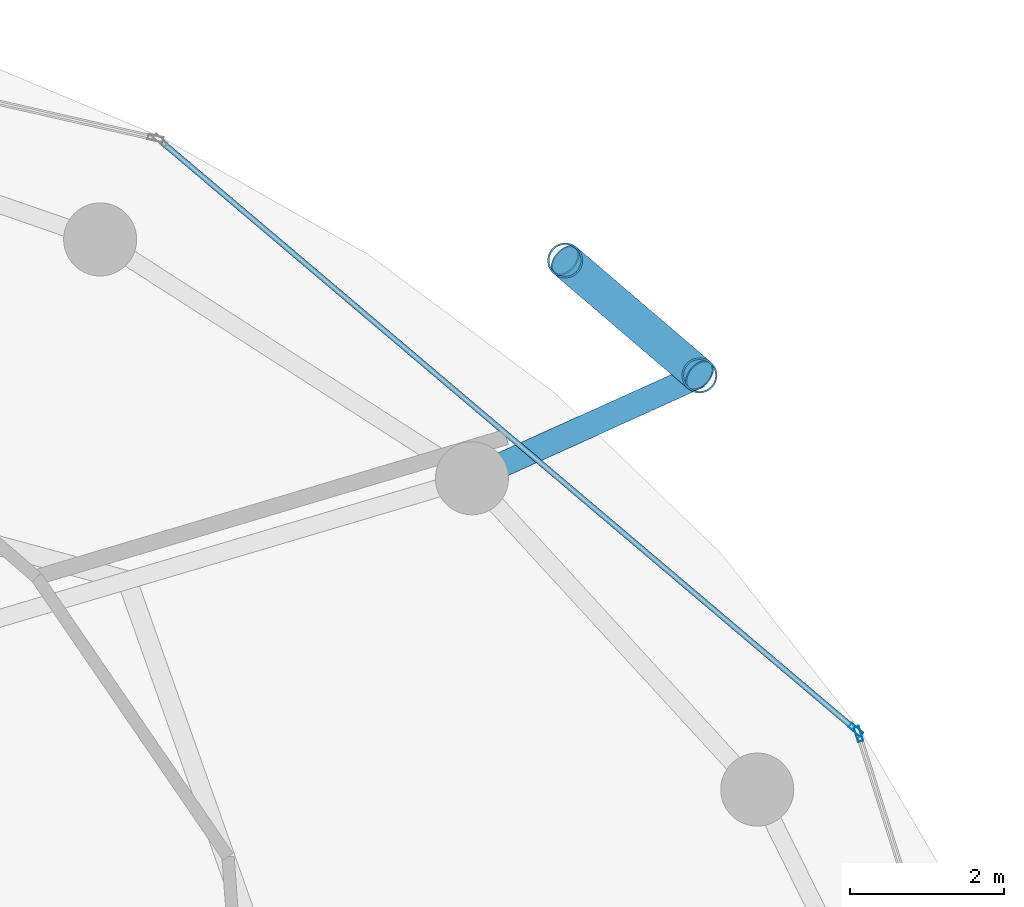
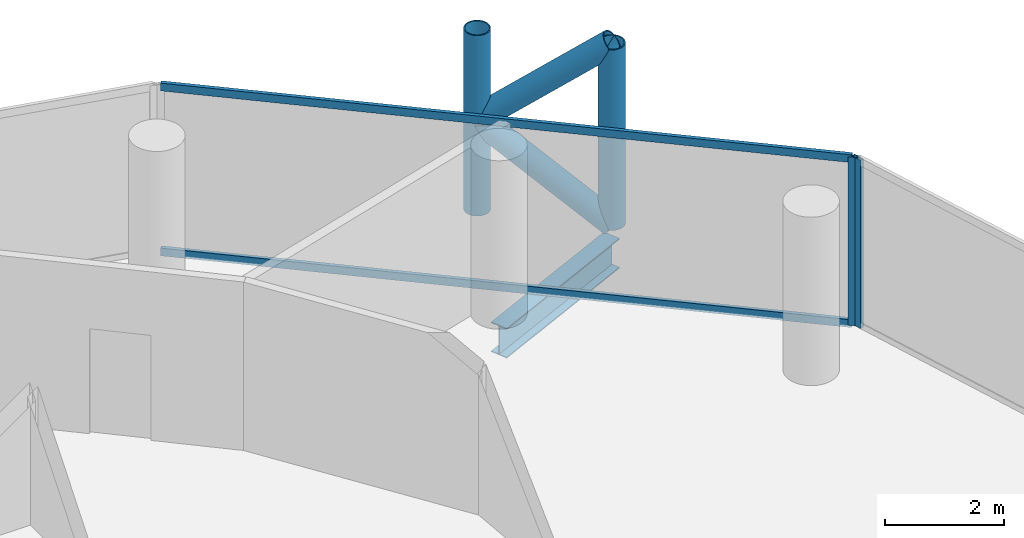
# One storey, part 19 of 27: 8 members, 1 beam, 2 elements without a shape of their own.
"""IFC4 building model written with IfcOpenShell, lengths in metres."""

from ifc_helpers import new_model, si_unit, direction, frame, origin, origin_2d, place, context, subcontext, project, spatial, hollow_rectangle, hollow_circle, i_section, extrude, material, layer, layer_set, material_profile, profile_set, type_object, element, aggregate, save


model = new_model("IFC4")

# Units and contexts
model_context = context("Model", 3, precision=1e-05, world=origin(), true_north=direction((0.0, 1.0)))
body_context = subcontext(model_context, "Body", "Model", "MODEL_VIEW")
ifc_project = project(units=[si_unit("LENGTHUNIT", "METRE"), si_unit("AREAUNIT", "SQUARE_METRE"), si_unit("VOLUMEUNIT", "CUBIC_METRE"), si_unit("PLANEANGLEUNIT", "RADIAN"), si_unit("MASSUNIT", "GRAM", prefix="KILO")], contexts=[model_context])

# Site, building, storey
site_placement = place(None, origin())
site = spatial("IfcSite", under=ifc_project, at=site_placement, CompositionType="ELEMENT")
building_placement = place(site_placement, origin())
building = spatial("IfcBuilding", under=site, at=building_placement, Name="Nuhasar Tower", CompositionType="ELEMENT")
storey_placement = place(building_placement, frame((0.0, 0.0, 158.949951171875)))
storey = spatial("IfcBuildingStorey", under=building, at=storey_placement, Name="L38", CompositionType="ELEMENT", Elevation=158.949951171875)

# Beam
ifc_material_1 = material(Name="Steel S355", Category="steel")
ifc_material_profile_1 = material_profile(ifc_material_1, i_section(OverallWidth=0.323974609375, OverallDepth=0.611083984375, WebThickness=0.0126953125, FlangeThickness=0.01904296875, at=origin_2d()), Name="W24X104")
ifc_profile_set_1 = profile_set([ifc_material_profile_1], Name="Steel S355")
beam_type = type_object("IfcBeamType", Name="BM-TIE-W24X104", PredefinedType="BEAM", material=ifc_profile_set_1)
beam_placement = place(storey_placement, frame((55.510986328125, 40.6240234375, -0.555908203125), z_axis=(0.911239591969, 0.411876687891, 0.0), x_axis=(-0.411876687891, 0.911239591969, 0.0)))
element("IfcBeam", 1, at=beam_placement, inside=storey, type_object=beam_type, Name="L38 Exoskeleton Node Tie Beam 02", PredefinedType="BEAM", context=body_context, shape_type="SweptSolid", body=[
    extrude(i_section(OverallWidth=0.323974609375, OverallDepth=0.611083984375, WebThickness=0.0126953125, FlangeThickness=0.01904296875, at=origin_2d()), origin(), (0.0, 0.0, 1.0), 3.248291015625),
])

# Curtain wall, member
ifc_material_2 = material(Name="Aluminium 6063-T6", Category="aluminium")
ifc_layer = layer(ifc_material_2, 0.199951171875)
ifc_layer_set = layer_set([ifc_layer], Name="Aluminium 6063-T6")
curtain_wall_type = type_object("IfcCurtainWallType", Name="CW-Z2-HTL", PredefinedType="NOTDEFINED", material=ifc_layer_set)
curtain_wall_1_placement = place(storey_placement, origin())
curtain_wall_1 = element("IfcCurtainWall", 2, at=curtain_wall_1_placement, inside=storey, type_object=curtain_wall_type, Name="L38 Unitised Curtain Wall 01", PredefinedType="NOTDEFINED")
ifc_material_profile_2 = material_profile(ifc_material_2, hollow_rectangle(XDim=0.070068359375, YDim=0.199951171875, WallThickness=0.0048828125, at=origin_2d()), Name="CWM-3")
ifc_profile_set_2 = profile_set([ifc_material_profile_2], Name="Aluminium 6063-T6")
member_type_1 = type_object("IfcMemberType", Name="CW-MUL-S3", PredefinedType="MULLION", material=ifc_profile_set_2)
member_1_placement = place(storey_placement, frame((60.53955078125, 37.296630859375, 0.0), z_axis=(0.0, 0.0, 1.0), x_axis=(-0.953433389233, -0.301603667577, 0.0)))
member_1 = element("IfcMember", 3, at=member_1_placement, type_object=member_type_1, Name="CW-Z2 mullion 2", PredefinedType="MULLION", context=body_context, shape_type="SweptSolid", body=[
    extrude(hollow_rectangle(XDim=0.070068359375, YDim=0.199951171875, WallThickness=0.0048828125, at=origin_2d()), origin(), (0.0, 0.0, 1.0), 3.449951171875),
])
aggregate(curtain_wall_1, [member_1])

# Curtain wall, members
curtain_wall_2_placement = place(storey_placement, origin())
curtain_wall_2 = element("IfcCurtainWall", 4, at=curtain_wall_2_placement, inside=storey, type_object=curtain_wall_type, Name="L38 Unitised Curtain Wall 02", PredefinedType="NOTDEFINED")
member_2_placement = place(storey_placement, frame((60.502197265625, 37.3525390625, 0.0), z_axis=(0.0, 0.0, 1.0), x_axis=(-0.646374438324, -0.763020370292, 0.0)))
member_2 = element("IfcMember", 5, at=member_2_placement, type_object=member_type_1, Name="CW-Z2 mullion 1", PredefinedType="MULLION", context=body_context, shape_type="SweptSolid", body=[
    extrude(hollow_rectangle(XDim=0.070068359375, YDim=0.199951171875, WallThickness=0.0048828125, at=origin_2d()), origin(), (0.0, 0.0, 1.0), 3.449951171875),
])
ifc_material_profile_3 = material_profile(ifc_material_2, hollow_rectangle(XDim=0.070068359375, YDim=0.159912109375, WallThickness=0.00439453125, at=origin_2d()), Name="CWT-3")
ifc_profile_set_3 = profile_set([ifc_material_profile_3], Name="Aluminium 6063-T6")
member_type_2 = type_object("IfcMemberType", Name="CW-TRN-S3", PredefinedType="USERDEFINED", material=ifc_profile_set_3)
member_3_placement = place(storey_placement, frame((60.4755859375, 37.375244140625, 0.03515625), z_axis=(-0.763023915269, 0.646370253592, 0.0), x_axis=(-0.646370253592, -0.763023915269, 0.0)))
member_3 = element("IfcMember", 6, at=member_3_placement, type_object=member_type_2, Name="CW-Z2 transom 1.1", ObjectType="TRANSOM", PredefinedType="USERDEFINED", context=body_context, shape_type="SweptSolid", body=[
    extrude(hollow_rectangle(XDim=0.070068359375, YDim=0.159912109375, WallThickness=0.00439453125, at=origin_2d()), origin(), (0.0, 0.0, 1.0), 11.784912109375),
])
member_4_placement = place(storey_placement, frame((60.4755859375, 37.375244140625, 3.4150390625), z_axis=(-0.763023915269, 0.646370253592, 0.0), x_axis=(-0.646370253592, -0.763023915269, 0.0)))
member_4 = element("IfcMember", 7, at=member_4_placement, type_object=member_type_2, Name="CW-Z2 transom 1.2", ObjectType="TRANSOM", PredefinedType="USERDEFINED", context=body_context, shape_type="SweptSolid", body=[
    extrude(hollow_rectangle(XDim=0.070068359375, YDim=0.159912109375, WallThickness=0.00439453125, at=origin_2d()), origin(), (0.0, 0.0, 1.0), 11.784912109375),
])
aggregate(curtain_wall_2, [member_2, member_3, member_4])

# Members
ifc_material_3 = material(Name="Steel S460", Category="steel")
ifc_material_profile_4 = material_profile(ifc_material_3, hollow_circle(Radius=0.228515625, WallThickness=0.022216796875, at=origin_2d()), Name="HSS457X22.2")
ifc_profile_set_4 = profile_set([ifc_material_profile_4], Name="Steel S460")
member_type_3 = type_object("IfcMemberType", Name="EXO-BRONZE-457", PredefinedType="BRACE", material=ifc_profile_set_4)
for number, where, z_axis, x_axis, name in (
    (8, (58.470947265625, 41.9619140625, 0.0), (0.0, 0.0, 1.0), (1.0, 0.0, 0.0), "L38 Exoskeleton Chord Column EC-02A"),
    (9, (56.722900390625, 43.45703125, 0.0), (0.0, 0.0, 1.0), (1.0, 0.0, 0.0), "L38 Exoskeleton Chord Column EC-02B"),
):
    element("IfcMember", number, at=place(storey_placement, frame(where, z_axis=z_axis, x_axis=x_axis)), inside=storey, type_object=member_type_3, Name=name, PredefinedType="BRACE", context=body_context, shape_type="SweptSolid", body=[
        extrude(hollow_circle(Radius=0.228515625, WallThickness=0.022216796875, at=origin_2d()), origin(), (0.0, 0.0, 1.0), 3.699951171875),
    ])
member_5_placement = place(storey_placement, frame((58.470947265625, 41.9619140625, 0.0), z_axis=(-0.592170370358, 0.506487618445, 0.626741210415), x_axis=(-0.649986859795, -0.759945446788, 0.0)))
element("IfcMember", 10, at=member_5_placement, inside=storey, type_object=member_type_3, Name="L38 Bronze Diagrid Brace W1-02", PredefinedType="BRACE", context=body_context, shape_type="SweptSolid", body=[
    extrude(hollow_circle(Radius=0.228515625, WallThickness=0.022216796875, at=origin_2d()), origin(), (0.0, 0.0, 1.0), 2.951904296875),
])
member_6_placement = place(storey_placement, frame((56.722900390625, 43.45703125, 1.85009765625), z_axis=(0.592201065785, -0.506513872468, 0.626690988192), x_axis=(0.649986859795, 0.759945446788, 0.0)))
element("IfcMember", 11, at=member_6_placement, inside=storey, type_object=member_type_3, Name="L38 Bronze Diagrid Brace W2-02", PredefinedType="BRACE", context=body_context, shape_type="SweptSolid", body=[
    extrude(hollow_circle(Radius=0.228515625, WallThickness=0.022216796875, at=origin_2d()), origin(), (0.0, 0.0, 1.0), 2.95166015625),
])

save(model, "model.ifc")
